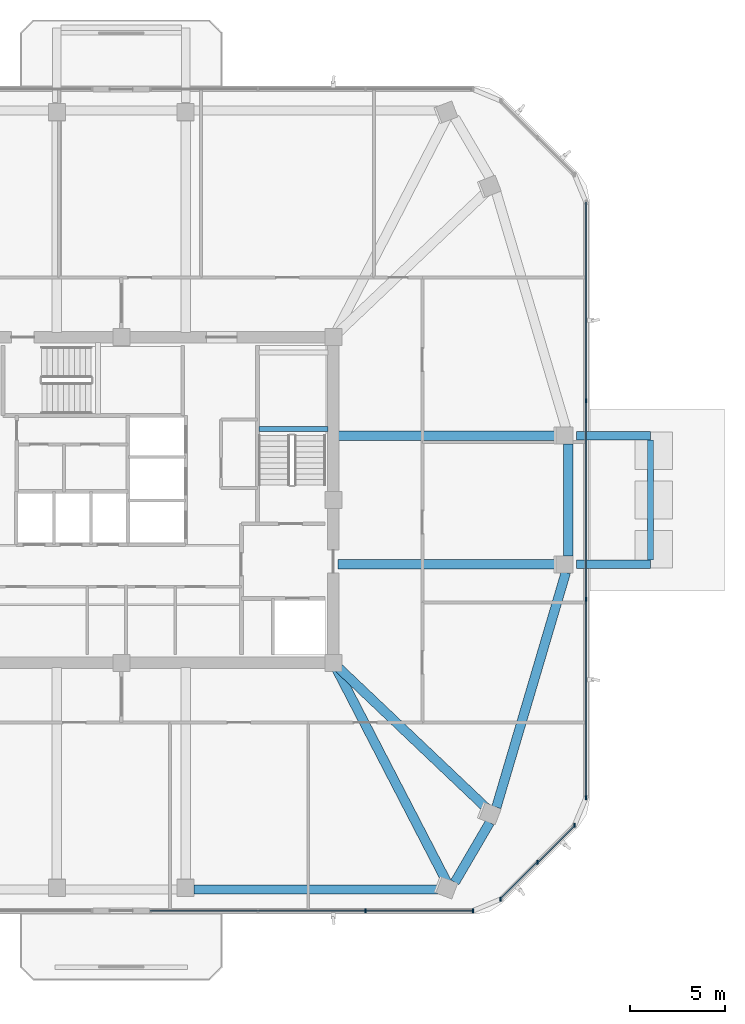
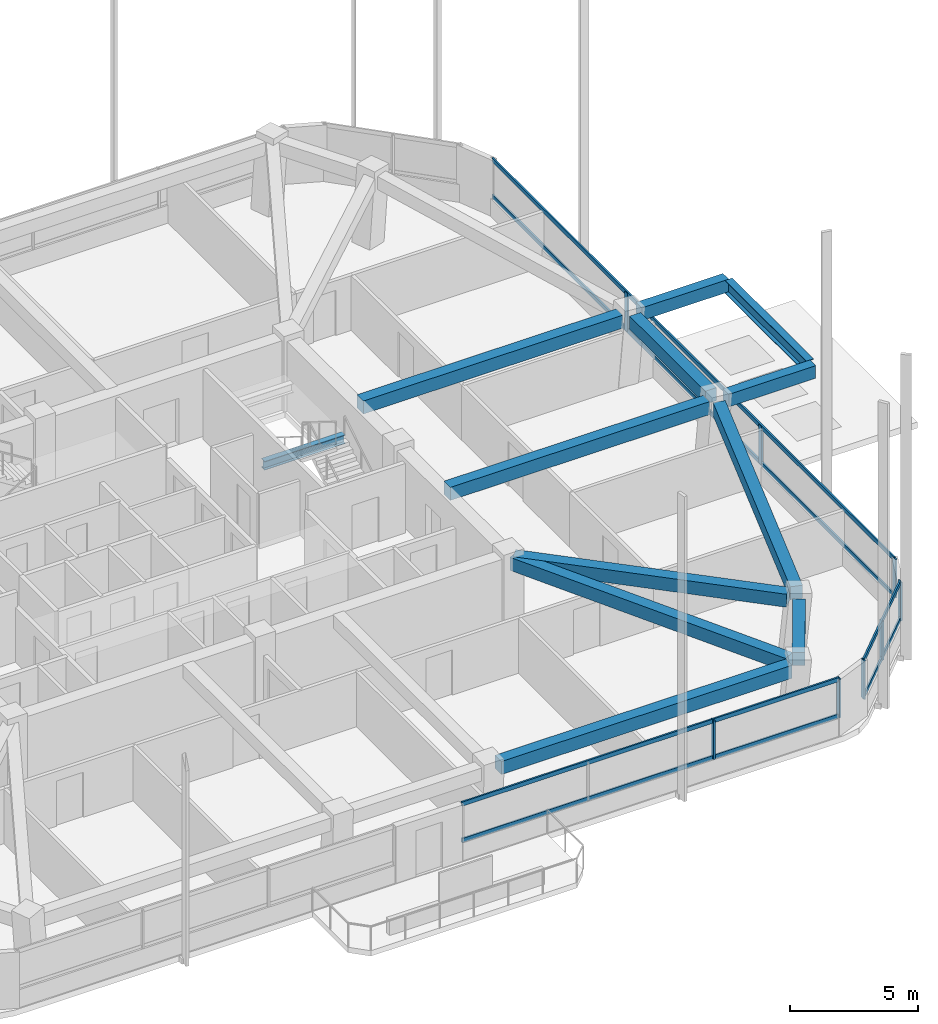
# One storey, part 3 of 14: 14 members, 12 beams, 3 elements without a shape of their own.
"""IFC4 building model written with IfcOpenShell, lengths in metres."""

from ifc_helpers import new_model, si_unit, derived_unit, direction, frame, origin, origin_2d, place, context, subcontext, project, spatial, rectangle, i_section, extrude, material, material_profile, profile_set, type_object, element, aggregate, save


model = new_model("IFC4")

# Units and contexts
model_context = context("Model", 3, precision=1e-05, world=origin(), true_north=direction((0.0, 1.0)))
body_context = subcontext(model_context, "Body", "Model", "MODEL_VIEW")
ifc_project = project(units=[si_unit("LENGTHUNIT", "METRE"), si_unit("AREAUNIT", "SQUARE_METRE"), si_unit("VOLUMEUNIT", "CUBIC_METRE"), si_unit("PLANEANGLEUNIT", "RADIAN"), si_unit("MASSUNIT", "GRAM", prefix="KILO"), derived_unit("THERMALTRANSMITTANCEUNIT", [(si_unit("POWERUNIT", "WATT"), 1), (si_unit("LENGTHUNIT", "METRE"), -2), (si_unit("THERMODYNAMICTEMPERATUREUNIT", "KELVIN"), -1)])], contexts=[model_context])

# Site, building, storey
site_placement = place(None, origin())
site = spatial("IfcSite", under=ifc_project, at=site_placement, CompositionType="ELEMENT")
building_placement = place(site_placement, origin())
building = spatial("IfcBuilding", under=site, at=building_placement, Name="Koralith Skygarden Medical Center", CompositionType="ELEMENT")
storey_placement = place(building_placement, frame((0.0, 0.0, 192.780029296875)))
storey = spatial("IfcBuildingStorey", under=building, at=storey_placement, Name="L49", CompositionType="ELEMENT", Elevation=192.780029296875)

# Curtain wall, members
ifc_material_1 = material(Name="Clear Laminated Glass", Category="glass")
curtain_wall_type = type_object("IfcCurtainWallType", Name="CW-5 Zone 4 Flare Biophilic Curtain Wall", PredefinedType="NOTDEFINED", material=ifc_material_1)
curtain_wall_1_placement = place(storey_placement, origin())
curtain_wall_1 = element("IfcCurtainWall", 1, at=curtain_wall_1_placement, inside=storey, type_object=curtain_wall_type, Name="Curtain Wall CW-L49-S-R", PredefinedType="NOTDEFINED")
ifc_material_2 = material(Name="Aluminium 6063-T6", Category="aluminium")
ifc_material_profile_1 = material_profile(ifc_material_2, rectangle(XDim=0.080078125, YDim=0.219970703125, at=origin_2d()), Name="MUL80X220")
ifc_profile_set_1 = profile_set([ifc_material_profile_1], Name="Aluminium 6063-T6")
member_type_1 = type_object("IfcMemberType", Name="CW-5 Extruded Mullion 80x220", PredefinedType="MULLION", material=ifc_profile_set_1)
member_1_placement = place(storey_placement, frame((49.89208984375, 4.205078125, 0.849853515625), z_axis=(0.0, 0.0, 1.0), x_axis=(1.0, 0.0, 0.0)))
member_1 = element("IfcMember", 2, at=member_1_placement, type_object=member_type_1, Name="CW-L49-S-R Mullion 3", PredefinedType="MULLION", context=body_context, shape_type="SweptSolid", body=[
    extrude(rectangle(XDim=0.080078125, YDim=0.219970703125, at=origin_2d()), origin(), (0.0, 0.0, 1.0), 1.840087890625),
])
member_2_placement = place(storey_placement, frame((55.568115234375, 4.205078125, 0.849853515625), z_axis=(0.0, 0.0, 1.0), x_axis=(1.0, 0.0, 0.0)))
member_2 = element("IfcMember", 3, at=member_2_placement, type_object=member_type_1, Name="CW-L49-S-R Mullion 4", PredefinedType="MULLION", context=body_context, shape_type="SweptSolid", body=[
    extrude(rectangle(XDim=0.080078125, YDim=0.219970703125, at=origin_2d()), origin(), (0.0, 0.0, 1.0), 1.840087890625),
])

curtain_wall_2_placement = place(storey_placement, origin())
curtain_wall_2 = element("IfcCurtainWall", 4, at=curtain_wall_2_placement, inside=storey, type_object=curtain_wall_type, Name="Curtain Wall CW-L49-SE", PredefinedType="NOTDEFINED")
member_3_placement = place(storey_placement, frame((57.01904296875, 4.806884765625, 0.849853515625), z_axis=(0.0, 0.0, 1.0), x_axis=(1.0, 0.0, 0.0)))
member_3 = element("IfcMember", 5, at=member_3_placement, type_object=member_type_1, Name="CW-L49-SE Mullion 1", PredefinedType="MULLION", context=body_context, shape_type="SweptSolid", body=[
    extrude(rectangle(XDim=0.080078125, YDim=0.219970703125, at=origin_2d()), origin(), (0.0, 0.0, 1.0), 1.840087890625),
])
member_4_placement = place(storey_placement, frame((58.97998046875, 6.76904296875, 0.849853515625), z_axis=(0.0, 0.0, 1.0), x_axis=(1.0, 0.0, 0.0)))
member_4 = element("IfcMember", 6, at=member_4_placement, type_object=member_type_1, Name="CW-L49-SE Mullion 2", PredefinedType="MULLION", context=body_context, shape_type="SweptSolid", body=[
    extrude(rectangle(XDim=0.080078125, YDim=0.219970703125, at=origin_2d()), origin(), (0.0, 0.0, 1.0), 1.840087890625),
])
member_5_placement = place(storey_placement, frame((60.94189453125, 8.72998046875, 0.849853515625), z_axis=(0.0, 0.0, 1.0), x_axis=(1.0, 0.0, 0.0)))
member_5 = element("IfcMember", 7, at=member_5_placement, type_object=member_type_1, Name="CW-L49-SE Mullion 3", PredefinedType="MULLION", context=body_context, shape_type="SweptSolid", body=[
    extrude(rectangle(XDim=0.080078125, YDim=0.219970703125, at=origin_2d()), origin(), (0.0, 0.0, 1.0), 1.840087890625),
])

curtain_wall_3_placement = place(storey_placement, origin())
curtain_wall_3 = element("IfcCurtainWall", 8, at=curtain_wall_3_placement, inside=storey, type_object=curtain_wall_type, Name="Curtain Wall CW-L49-E", PredefinedType="NOTDEFINED")
member_6_placement = place(storey_placement, frame((61.5439453125, 10.180908203125, 0.849853515625), z_axis=(0.0, 0.0, 1.0), x_axis=(1.0, 0.0, 0.0)))
member_6 = element("IfcMember", 9, at=member_6_placement, type_object=member_type_1, Name="CW-L49-E Mullion 1", PredefinedType="MULLION", context=body_context, shape_type="SweptSolid", body=[
    extrude(rectangle(XDim=0.080078125, YDim=0.219970703125, at=origin_2d()), origin(), (0.0, 0.0, 1.0), 1.840087890625),
])
member_7_placement = place(storey_placement, frame((61.5439453125, 20.659912109375, 0.849853515625), z_axis=(0.0, 0.0, 1.0), x_axis=(1.0, 0.0, 0.0)))
member_7 = element("IfcMember", 10, at=member_7_placement, type_object=member_type_1, Name="CW-L49-E Mullion 2", PredefinedType="MULLION", context=body_context, shape_type="SweptSolid", body=[
    extrude(rectangle(XDim=0.080078125, YDim=0.219970703125, at=origin_2d()), origin(), (0.0, 0.0, 1.0), 1.840087890625),
])
member_8_placement = place(storey_placement, frame((61.5439453125, 31.139892578125, 0.849853515625), z_axis=(0.0, 0.0, 1.0), x_axis=(1.0, 0.0, 0.0)))
member_8 = element("IfcMember", 11, at=member_8_placement, type_object=member_type_1, Name="CW-L49-E Mullion 3", PredefinedType="MULLION", context=body_context, shape_type="SweptSolid", body=[
    extrude(rectangle(XDim=0.080078125, YDim=0.219970703125, at=origin_2d()), origin(), (0.0, 0.0, 1.0), 1.840087890625),
])

# Member
ifc_material_profile_2 = material_profile(ifc_material_2, rectangle(XDim=0.074951171875, YDim=0.197998046875, at=origin_2d()), Name="TRN75X198")
ifc_profile_set_2 = profile_set([ifc_material_profile_2], Name="Aluminium 6063-T6")
member_type_2 = type_object("IfcMemberType", Name="CW-5 Thermal Transom 75x198", PredefinedType="USERDEFINED", material=ifc_profile_set_2)
member_9_placement = place(storey_placement, frame((38.5400390625, 4.205078125, 0.89990234375), z_axis=(1.0, 0.0, 0.0), x_axis=(0.0, 1.0, 0.0)))
member_9 = element("IfcMember", 12, at=member_9_placement, type_object=member_type_2, Name="CW-L49-S-R Transom 1", ObjectType="TRANSOM", PredefinedType="USERDEFINED", context=body_context, shape_type="SweptSolid", body=[
    extrude(rectangle(XDim=0.074951171875, YDim=0.197998046875, at=origin_2d()), origin(), (0.0, 0.0, 1.0), 17.028076171875),
])

member_10_placement = place(storey_placement, frame((38.5400390625, 4.205078125, 2.639892578125), z_axis=(1.0, 0.0, 0.0), x_axis=(0.0, 1.0, 0.0)))
member_10 = element("IfcMember", 13, at=member_10_placement, type_object=member_type_2, Name="CW-L49-S-R Transom 2", ObjectType="TRANSOM", PredefinedType="USERDEFINED", context=body_context, shape_type="SweptSolid", body=[
    extrude(rectangle(XDim=0.074951171875, YDim=0.197998046875, at=origin_2d()), origin(), (0.0, 0.0, 1.0), 17.028076171875),
])

aggregate(curtain_wall_1, [member_1, member_2, member_9, member_10])

member_11_placement = place(storey_placement, frame((57.01904296875, 4.806884765625, 0.89990234375), z_axis=(0.707084777957, 0.707128783731, 0.0), x_axis=(-0.707128783731, 0.707084777957, 0.0)))
member_11 = element("IfcMember", 14, at=member_11_placement, type_object=member_type_2, Name="CW-L49-SE Transom 1", ObjectType="TRANSOM", PredefinedType="USERDEFINED", context=body_context, shape_type="SweptSolid", body=[
    extrude(rectangle(XDim=0.074951171875, YDim=0.197998046875, at=origin_2d()), origin(), (0.0, 0.0, 1.0), 5.5478515625),
])

member_12_placement = place(storey_placement, frame((57.01904296875, 4.806884765625, 2.639892578125), z_axis=(0.707084777957, 0.707128783731, 0.0), x_axis=(-0.707128783731, 0.707084777957, 0.0)))
member_12 = element("IfcMember", 15, at=member_12_placement, type_object=member_type_2, Name="CW-L49-SE Transom 2", ObjectType="TRANSOM", PredefinedType="USERDEFINED", context=body_context, shape_type="SweptSolid", body=[
    extrude(rectangle(XDim=0.074951171875, YDim=0.197998046875, at=origin_2d()), origin(), (0.0, 0.0, 1.0), 5.5478515625),
])

aggregate(curtain_wall_2, [member_3, member_4, member_5, member_11, member_12])

member_13_placement = place(storey_placement, frame((61.5439453125, 10.180908203125, 0.89990234375), z_axis=(0.0, 1.0, 0.0), x_axis=(-1.0, 0.0, 0.0)))
member_13 = element("IfcMember", 16, at=member_13_placement, type_object=member_type_2, Name="CW-L49-E Transom 1", ObjectType="TRANSOM", PredefinedType="USERDEFINED", context=body_context, shape_type="SweptSolid", body=[
    extrude(rectangle(XDim=0.074951171875, YDim=0.197998046875, at=origin_2d()), origin(), (0.0, 0.0, 1.0), 31.43798828125),
])

member_14_placement = place(storey_placement, frame((61.5439453125, 10.180908203125, 2.639892578125), z_axis=(0.0, 1.0, 0.0), x_axis=(-1.0, 0.0, 0.0)))
member_14 = element("IfcMember", 17, at=member_14_placement, type_object=member_type_2, Name="CW-L49-E Transom 2", ObjectType="TRANSOM", PredefinedType="USERDEFINED", context=body_context, shape_type="SweptSolid", body=[
    extrude(rectangle(XDim=0.074951171875, YDim=0.197998046875, at=origin_2d()), origin(), (0.0, 0.0, 1.0), 31.43798828125),
])

aggregate(curtain_wall_3, [member_6, member_7, member_8, member_13, member_14])

# Beams
ifc_material_3 = material(Name="Steel ASTM A992 Grade 50", Category="steel")
ifc_material_profile_3 = material_profile(ifc_material_3, i_section(OverallWidth=0.326904296875, OverallDepth=0.6220703125, WebThickness=0.015380859375, FlangeThickness=0.0244140625, at=origin_2d()), Name="W24X131")
ifc_profile_set_3 = profile_set([ifc_material_profile_3], Name="Steel ASTM A992 Grade 50")
beam_type_1 = type_object("IfcBeamType", Name="Cantilever Tie Beam W24X131", PredefinedType="BEAM", material=ifc_profile_set_3)
beam_1_placement = place(storey_placement, frame((64.955078125, 22.719970703125, 3.029052734375), z_axis=(0.0, 1.0, 0.0), x_axis=(-1.0, 0.0, 0.0)))
element("IfcBeam", 18, at=beam_1_placement, inside=storey, type_object=beam_type_1, Name="L50 E Balcony Tip Tie Beam", PredefinedType="BEAM", context=body_context, shape_type="SweptSolid", body=[
    extrude(i_section(OverallWidth=0.326904296875, OverallDepth=0.6220703125, WebThickness=0.015380859375, FlangeThickness=0.0244140625, at=origin_2d()), origin(), (0.0, 0.0, 1.0), 6.360107421875),
])
ifc_material_profile_4 = material_profile(ifc_material_3, i_section(OverallWidth=0.260009765625, OverallDepth=0.4150390625, WebThickness=0.010009765625, FlangeThickness=0.016845703125, at=origin_2d()), Name="W16X67")
ifc_profile_set_4 = profile_set([ifc_material_profile_4], Name="Steel ASTM A992 Grade 50")
beam_type_2 = type_object("IfcBeamType", Name="Clinical Floor Joist W16X67", PredefinedType="JOIST", material=ifc_profile_set_4)
beam_2_placement = place(storey_placement, frame((44.280029296875, 29.659912109375, 1.39306640625), z_axis=(1.0, 0.0, 0.0), x_axis=(0.0, 1.0, 0.0)))
element("IfcBeam", 19, at=beam_2_placement, inside=storey, type_object=beam_type_2, Name="L49 Stair ST2 Half-Landing Support Beam 1A", PredefinedType="JOIST", context=body_context, shape_type="SweptSolid", body=[
    extrude(i_section(OverallWidth=0.260009765625, OverallDepth=0.4150390625, WebThickness=0.010009765625, FlangeThickness=0.016845703125, at=origin_2d()), origin(), (0.0, 0.0, 1.0), 3.639892578125),
])
ifc_material_4 = material(Name="Concrete C45/55", Category="concrete")
ifc_material_profile_5 = material_profile(ifc_material_4, rectangle(XDim=0.449951171875, YDim=0.60009765625, at=origin_2d()), Name="RCB450X600")
ifc_profile_set_5 = profile_set([ifc_material_profile_5], Name="Concrete C45/55")
beam_type_3 = type_object("IfcBeamType", Name="Planted Balcony Cantilever Beam RCB450X600", PredefinedType="BEAM", material=ifc_profile_set_5)
for number, where, z_axis, x_axis, name in (
    (20, (61.034912109375, 22.5, 3.0400390625), (1.0, 0.0, 0.0), (0.0, 1.0, 0.0), "L50 E Balcony Cantilever Beam A"),
    (21, (61.034912109375, 29.300048828125, 3.0400390625), (1.0, 0.0, 0.0), (0.0, 1.0, 0.0), "L50 E Balcony Cantilever Beam B"),
):
    element("IfcBeam", number, at=place(storey_placement, frame(where, z_axis=z_axis, x_axis=x_axis)), inside=storey, type_object=beam_type_3, Name=name, PredefinedType="BEAM", context=body_context, shape_type="SweptSolid", body=[
        extrude(rectangle(XDim=0.449951171875, YDim=0.60009765625, at=origin_2d()), origin(), (0.0, 0.0, 1.0), 3.920166015625),
    ])
ifc_material_profile_6 = material_profile(ifc_material_4, rectangle(XDim=0.5, YDim=0.6201171875, at=origin_2d()), Name="RCB500X620")
ifc_profile_set_6 = profile_set([ifc_material_profile_6], Name="Concrete C45/55")
beam_type_4 = type_object("IfcBeamType", Name="Upper Radial Collector Beam RCB500X620", PredefinedType="BEAM", material=ifc_profile_set_6)
beam_3_placement = place(storey_placement, frame((48.31494140625, 17.077880859375, 3.010009765625), z_axis=(0.459588078392, -0.888132196354, 0.0), x_axis=(0.888132196354, 0.459588078392, 0.0)))
element("IfcBeam", 22, at=beam_3_placement, inside=storey, type_object=beam_type_4, Name="L49 Radial Collector Beam RB-06", PredefinedType="BEAM", context=body_context, shape_type="SweptSolid", body=[
    extrude(rectangle(XDim=0.5, YDim=0.6201171875, at=origin_2d()), origin(), (0.0, 0.0, 1.0), 12.787353515625),
])
beam_4_placement = place(storey_placement, frame((48.381103515625, 17.1279296875, 3.010009765625), z_axis=(0.725483293562, -0.688239777085, 0.0), x_axis=(0.688239777085, 0.725483293562, 0.0)))
element("IfcBeam", 23, at=beam_4_placement, inside=storey, type_object=beam_type_4, Name="L49 Radial Collector Beam RB-07", PredefinedType="BEAM", context=body_context, shape_type="SweptSolid", body=[
    extrude(rectangle(XDim=0.5, YDim=0.6201171875, at=origin_2d()), origin(), (0.0, 0.0, 1.0), 11.00634765625),
])
for number, where, z_axis, x_axis, name in (
    (24, (48.449951171875, 22.5, 3.010009765625), (1.0, 0.0, 0.0), (0.0, 1.0, 0.0), "L49 Radial Collector Beam RB-08"),
    (25, (48.449951171875, 29.300048828125, 3.010009765625), (1.0, 0.0, 0.0), (0.0, 1.0, 0.0), "L49 Radial Collector Beam RB-09"),
):
    element("IfcBeam", number, at=place(storey_placement, frame(where, z_axis=z_axis, x_axis=x_axis)), inside=storey, type_object=beam_type_4, Name=name, PredefinedType="BEAM", context=body_context, shape_type="SweptSolid", body=[
        extrude(rectangle(XDim=0.5, YDim=0.6201171875, at=origin_2d()), origin(), (0.0, 0.0, 1.0), 11.715087890625),
    ])
ifc_material_profile_7 = material_profile(ifc_material_4, rectangle(XDim=0.5, YDim=0.6201171875, at=origin_2d()), Name="RCB500X620")
ifc_profile_set_7 = profile_set([ifc_material_profile_7], Name="Concrete C45/55")
beam_type_5 = type_object("IfcBeamType", Name="Zone 4-5 Spandrel Beam RCB500X620", PredefinedType="SPANDREL", material=ifc_profile_set_7)
beam_5_placement = place(storey_placement, frame((40.840087890625, 5.330078125, 3.010009765625), z_axis=(1.0, 0.0, 0.0), x_axis=(0.0, 1.0, 0.0)))
element("IfcBeam", 26, at=beam_5_placement, inside=storey, type_object=beam_type_5, Name="L49 Perimeter Spandrel Beam SP-05", PredefinedType="SPANDREL", context=body_context, shape_type="SweptSolid", body=[
    extrude(rectangle(XDim=0.5, YDim=0.6201171875, at=origin_2d()), origin(), (0.0, 0.0, 1.0), 13.114013671875),
])
beam_6_placement = place(storey_placement, frame((54.615966796875, 5.7099609375, 3.010009765625), z_axis=(0.504584161671, 0.863362510068, 0.0), x_axis=(-0.863362510068, 0.504584161671, 0.0)))
element("IfcBeam", 27, at=beam_6_placement, inside=storey, type_object=beam_type_5, Name="L49 Perimeter Spandrel Beam SP-06", PredefinedType="SPANDREL", context=body_context, shape_type="SweptSolid", body=[
    extrude(rectangle(XDim=0.5, YDim=0.6201171875, at=origin_2d()), origin(), (0.0, 0.0, 1.0), 3.660400390625),
])
beam_7_placement = place(storey_placement, frame((56.81005859375, 9.672119140625, 3.010009765625), z_axis=(0.283671946545, 0.958921387155, 0.0), x_axis=(-0.958921387155, 0.283671946545, 0.0)))
element("IfcBeam", 28, at=beam_7_placement, inside=storey, type_object=beam_type_5, Name="L49 Perimeter Spandrel Beam SP-07", PredefinedType="SPANDREL", context=body_context, shape_type="SweptSolid", body=[
    extrude(rectangle(XDim=0.5, YDim=0.6201171875, at=origin_2d()), origin(), (0.0, 0.0, 1.0), 12.937255859375),
])
beam_8_placement = place(storey_placement, frame((60.60498046875, 22.93994140625, 3.010009765625), z_axis=(0.0, 1.0, 0.0), x_axis=(-1.0, 0.0, 0.0)))
element("IfcBeam", 29, at=beam_8_placement, inside=storey, type_object=beam_type_5, Name="L49 Perimeter Spandrel Beam SP-08", PredefinedType="SPANDREL", context=body_context, shape_type="SweptSolid", body=[
    extrude(rectangle(XDim=0.5, YDim=0.6201171875, at=origin_2d()), origin(), (0.0, 0.0, 1.0), 5.920166015625),
])

save(model, "model.ifc")
